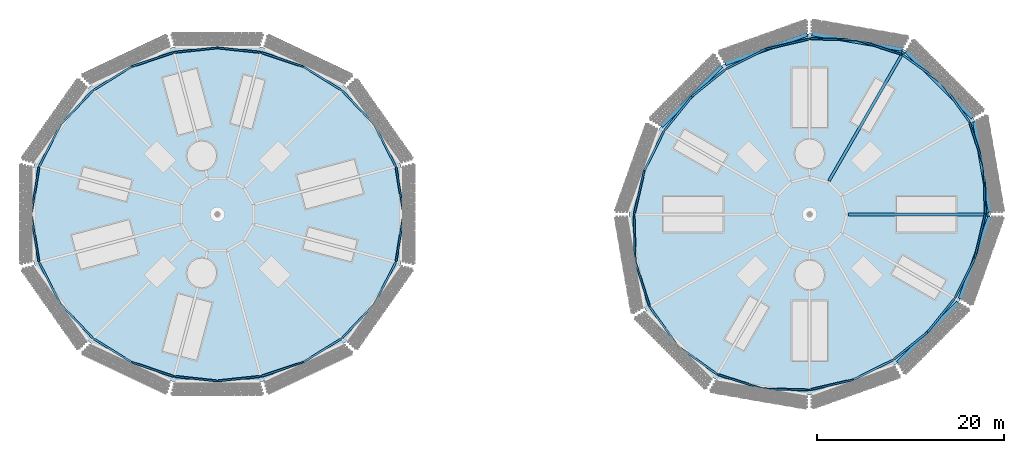
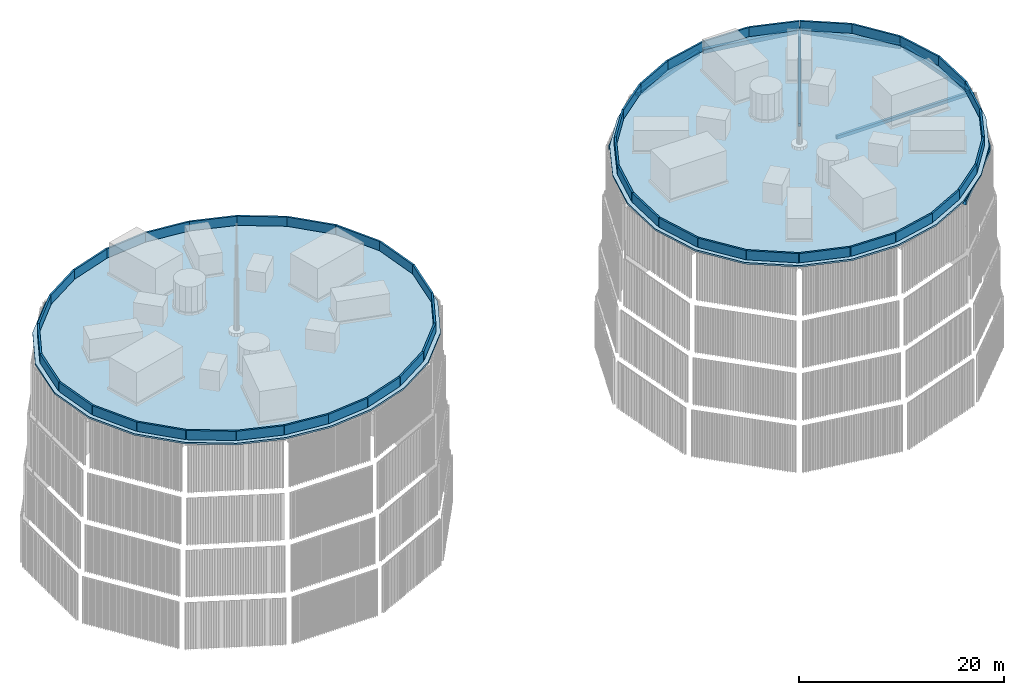
# One storey, part 2 of 24: 48 walls, 9 beams, 2 slabs.
"""IFC4 building model written with IfcOpenShell, lengths in metres."""

from ifc_helpers import new_model, si_unit, direction, frame, frame_2d, origin, origin_2d, place, context, subcontext, project, spatial, polyline, rectangle, hollow_rectangle, outline, extrude, material, layer, layer_set, material_profile, profile_set, type_object, element, save


model = new_model("IFC4")

# Units and contexts
model_context = context("Model", 3, precision=1e-05, world=origin(), true_north=direction((0.0, 1.0)))
body_context = subcontext(model_context, "Body", "Model", "MODEL_VIEW")
ifc_project = project(units=[si_unit("LENGTHUNIT", "METRE"), si_unit("AREAUNIT", "SQUARE_METRE"), si_unit("VOLUMEUNIT", "CUBIC_METRE"), si_unit("PLANEANGLEUNIT", "RADIAN"), si_unit("MASSUNIT", "GRAM", prefix="KILO")], contexts=[model_context])

# Site, building, storey
site_placement = place(None, origin())
site = spatial("IfcSite", under=ifc_project, at=site_placement, CompositionType="ELEMENT")
building_placement = place(site_placement, origin())
building = spatial("IfcBuilding", under=site, at=building_placement, Name="Rimbun Link Towers", CompositionType="ELEMENT")
storey_placement = place(building_placement, frame((0.0, 0.0, 294.89990234375)))
storey = spatial("IfcBuildingStorey", under=building, at=storey_placement, Name="Roof cap", CompositionType="ELEMENT", Elevation=294.89990234375)

# Beams
ifc_material_1 = material(Name="Steel S355J2", Category="steel")
ifc_material_profile_1 = material_profile(ifc_material_1, hollow_rectangle(XDim=0.300048828125, YDim=0.39990234375, WallThickness=0.01611328125, at=origin_2d()), Name="Crown frame hub beam BOX 300x400x16")
ifc_profile_set_1 = profile_set([ifc_material_profile_1], Name="Steel S355J2")
beam_type_1 = type_object("IfcBeamType", Name="Crown frame hub beam BOX 300x400x16", PredefinedType="BEAM", material=ifc_profile_set_1)
beam_1_placement = place(storey_placement, frame((41.807373046875, 17.419921875, 0.300048828125), z_axis=(-0.500000882053, -0.86602489453, 0.0), x_axis=(0.86602489453, -0.500000882053, 0.0)))
element("IfcBeam", 1, at=beam_1_placement, inside=storey, type_object=beam_type_1, Name="CROWN FRAME cap beam T2 00", PredefinedType="BEAM", context=body_context, shape_type="SweptSolid", body=[
    extrude(hollow_rectangle(XDim=0.300048828125, YDim=0.39990234375, WallThickness=0.01611328125, at=origin_2d()), origin(), (0.0, 0.0, 1.0), 15.96484375),
])
beam_2_placement = place(storey_placement, frame((50.886474609375, 0.0, 0.300048828125), z_axis=(-1.0, 0.0, 0.0), x_axis=(0.0, -1.0, 0.0)))
element("IfcBeam", 2, at=beam_2_placement, inside=storey, type_object=beam_type_1, Name="CROWN FRAME cap beam T2 10", PredefinedType="BEAM", context=body_context, shape_type="SweptSolid", body=[
    extrude(hollow_rectangle(XDim=0.300048828125, YDim=0.39990234375, WallThickness=0.01611328125, at=origin_2d()), origin(), (0.0, 0.0, 1.0), 14.986572265625),
])
ifc_material_2 = material(Name="Steel S355J2", Category="steel")
ifc_material_profile_2 = material_profile(ifc_material_2, hollow_rectangle(XDim=0.39990234375, YDim=0.5, WallThickness=0.02001953125, at=origin_2d()), Name="Crown frame ring beam BOX 400x500x20")
ifc_profile_set_2 = profile_set([ifc_material_profile_2], Name="Steel S355J2")
beam_type_2 = type_object("IfcBeamType", Name="Crown frame ring beam BOX 400x500x20", PredefinedType="BEAM", material=ifc_profile_set_2)
beam_3_placement = place(storey_placement, frame((41.68408203125, 17.682861328125, 0.25), z_axis=(-0.985546492599, 0.169405167945, 0.0), x_axis=(-0.169405167945, -0.985546492599, 0.0)))
element("IfcBeam", 3, at=beam_3_placement, inside=storey, type_object=beam_type_2, Name="CROWN FRAME ring beam T2 5-00", PredefinedType="BEAM", context=body_context, shape_type="SweptSolid", body=[
    extrude(hollow_rectangle(XDim=0.39990234375, YDim=0.5, WallThickness=0.02001953125, at=origin_2d()), origin(), (0.0, 0.0, 1.0), 9.825927734375),
])
beam_4_placement = place(storey_placement, frame((31.510986328125, 19.3046875, 0.25), z_axis=(-0.941183805758, -0.337895018873, 0.0), x_axis=(0.337895018873, -0.941183805758, 0.0)))
element("IfcBeam", 4, at=beam_4_placement, inside=storey, type_object=beam_type_2, Name="CROWN FRAME ring beam T2 5-01", PredefinedType="BEAM", context=body_context, shape_type="SweptSolid", body=[
    extrude(hollow_rectangle(XDim=0.39990234375, YDim=0.5, WallThickness=0.02001953125, at=origin_2d()), origin(), (0.0, 0.0, 1.0), 9.344482421875),
])
for number, where, z_axis, x_axis, name in (
    (5, (22.29736328125, 15.881591796875, 0.25), (-0.707106781187, -0.707106781187, 0.0), (0.707106781187, -0.707106781187, 0.0), "CROWN FRAME ring beam T2 5-02"),
    (6, (41.20263671875, -15.881591796875, 0.25), (0.707106781187, 0.707106781187, 0.0), (-0.707106781187, 0.707106781187, 0.0), "CROWN FRAME ring beam T2 5-08"),
):
    element("IfcBeam", number, at=place(storey_placement, frame(where, z_axis=z_axis, x_axis=x_axis)), inside=storey, type_object=beam_type_2, Name=name, PredefinedType="BEAM", context=body_context, shape_type="SweptSolid", body=[
        extrude(hollow_rectangle(XDim=0.39990234375, YDim=0.5, WallThickness=0.02001953125, at=origin_2d()), origin(), (0.0, 0.0, 1.0), 9.091796875),
    ])
beam_5_placement = place(storey_placement, frame((47.897216796875, -9.033935546875, 0.25), z_axis=(0.337895018873, 0.941183805758, 0.0), x_axis=(-0.941183805758, 0.337895018873, 0.0)))
element("IfcBeam", 7, at=beam_5_placement, inside=storey, type_object=beam_type_2, Name="CROWN FRAME ring beam T2 5-09", PredefinedType="BEAM", context=body_context, shape_type="SweptSolid", body=[
    extrude(hollow_rectangle(XDim=0.39990234375, YDim=0.5, WallThickness=0.02001953125, at=origin_2d()), origin(), (0.0, 0.0, 1.0), 9.344482421875),
])
beam_6_placement = place(storey_placement, frame((51.097412109375, 0.250244140625, 0.25), z_axis=(-0.169405167945, 0.985546492599, 0.0), x_axis=(-0.985546492599, -0.169405167945, 0.0)))
element("IfcBeam", 8, at=beam_6_placement, inside=storey, type_object=beam_type_2, Name="CROWN FRAME ring beam T2 5-10", PredefinedType="BEAM", context=body_context, shape_type="SweptSolid", body=[
    extrude(hollow_rectangle(XDim=0.39990234375, YDim=0.5, WallThickness=0.02001953125, at=origin_2d()), origin(), (0.0, 0.0, 1.0), 9.825927734375),
])
beam_7_placement = place(storey_placement, frame((49.210205078125, 10.364013671875, 0.25), z_axis=(-0.707106781187, 0.707106781187, 0.0), x_axis=(-0.707106781187, -0.707106781187, 0.0)))
element("IfcBeam", 9, at=beam_7_placement, inside=storey, type_object=beam_type_2, Name="CROWN FRAME ring beam T2 5-11", PredefinedType="BEAM", context=body_context, shape_type="SweptSolid", body=[
    extrude(hollow_rectangle(XDim=0.39990234375, YDim=0.5, WallThickness=0.02001953125, at=origin_2d()), origin(), (0.0, 0.0, 1.0), 10.03564453125),
])

# Slabs
ifc_material_3 = material(Name="Concrete C40/50", Category="concrete")
ifc_layer_1 = layer(ifc_material_3, 0.199951171875)
ifc_layer_set_1 = layer_set([ifc_layer_1], Name="Crown cap composite slab")
slab_type = type_object("IfcSlabType", Name="Crown cap composite slab", PredefinedType="ROOF", material=ifc_layer_set_1)
slab_1_placement = place(storey_placement, frame((0.0, 0.0, 0.5)))
element("IfcSlab", 10, at=slab_1_placement, inside=storey, type_object=slab_type, Name="CROWN FRAME cap slab T1", PredefinedType="ROOF", context=body_context, shape_type="SweptSolid", body=[
    extrude(outline(polyline([(-11.215576171875, 0.0), (-12.0751953125, 5.271728515625), (-14.484130859375, 9.968505859375), (-18.038818359375, 13.711181640625), (-22.3056640625, 16.35791015625), (-26.949951171875, 17.9140625), (-31.75, 18.42529296875), (-36.550048828125, 17.9140625), (-41.1943359375, 16.35791015625), (-45.461181640625, 13.711181640625), (-49.015869140625, 9.968505859375), (-51.4248046875, 5.271728515625), (-52.284423828125, 0.0), (-51.4248046875, -5.271728515625), (-49.015869140625, -9.968505859375), (-45.461181640625, -13.711181640625), (-41.1943359375, -16.35791015625), (-36.550048828125, -17.9140625), (-31.75, -18.42529296875), (-26.949951171875, -17.9140625), (-22.3056640625, -16.35791015625), (-18.038818359375, -13.711181640625), (-14.484130859375, -9.968505859375), (-12.0751953125, -5.271728515625), (-11.215576171875, 0.0)])), origin(), (0.0, 0.0, 1.0), 0.2001953125),
])
slab_2_placement = place(storey_placement, frame((0.0, 0.0, 0.5)))
element("IfcSlab", 11, at=slab_2_placement, inside=storey, type_object=slab_type, Name="CROWN FRAME cap slab T2", PredefinedType="ROOF", context=body_context, shape_type="SweptSolid", body=[
    extrude(outline(polyline([(46.27001953125, 14.52001953125), (41.934326171875, 17.639892578125), (36.909912109375, 19.257568359375), (31.75, 19.390380859375), (26.861328125, 18.2451171875), (22.47705078125, 16.061279296875), (18.72119140625, 13.02880859375), (15.688720703125, 9.27294921875), (13.5048828125, 4.888671875), (12.359619140625, 0.0), (12.492431640625, -5.159912109375), (14.110107421875, -10.184326171875), (17.22998046875, -14.52001953125), (21.565673828125, -17.639892578125), (26.590087890625, -19.257568359375), (31.75, -19.390380859375), (36.638671875, -18.2451171875), (41.02294921875, -16.061279296875), (44.77880859375, -13.02880859375), (47.811279296875, -9.27294921875), (49.9951171875, -4.888671875), (51.140380859375, 0.0), (51.007568359375, 5.159912109375), (49.389892578125, 10.184326171875), (46.27001953125, 14.52001953125)])), origin(), (0.0, 0.0, 1.0), 0.2001953125),
])

# Walls
ifc_material_4 = material(Name="Concrete C40/50", Category="concrete")
ifc_layer_2 = layer(ifc_material_4, 0.199951171875)
ifc_layer_set_2 = layer_set([ifc_layer_2], Name="CROWN PARAPET wall 200")
wall_type = type_object("IfcWallType", Name="CROWN PARAPET wall 200", PredefinedType="STANDARD", material=ifc_layer_set_2)
wall_1_placement = place(storey_placement, frame((-11.780029296875, -0.01904296875, 0.7001953125), z_axis=(0.0, 0.0, 1.0), x_axis=(-0.160937805902, -0.986964549835, 0.0)))
element("IfcWall", 12, at=wall_1_placement, inside=storey, type_object=wall_type, Name="Crown parapet wall", PredefinedType="STANDARD", context=body_context, shape_type="SweptSolid", body=[
    extrude(rectangle(XDim=5.1259765625, YDim=0.199951171875, at=frame_2d((2.56298828125, 0.0))), origin(), (0.0, 0.0, 1.0), 1.099853515625),
])
wall_2_placement = place(storey_placement, frame((-12.61669921875, -5.11328125, 0.7001953125), z_axis=(0.0, 0.0, 1.0), x_axis=(-0.456368407482, -0.88979091738, 0.0)))
element("IfcWall", 13, at=wall_2_placement, inside=storey, type_object=wall_type, Name="Crown parapet wall", PredefinedType="STANDARD", context=body_context, shape_type="SweptSolid", body=[
    extrude(rectangle(XDim=5.0751953125, YDim=0.199951171875, at=frame_2d((2.53759765625, 0.0))), origin(), (0.0, 0.0, 1.0), 1.099853515625),
])
wall_3_placement = place(storey_placement, frame((-14.95263671875, -9.6572265625, 0.7001953125), z_axis=(0.0, 0.0, 1.0), x_axis=(-0.688625705447, -0.725116982146, 0.0)))
element("IfcWall", 14, at=wall_3_placement, inside=storey, type_object=wall_type, Name="Crown parapet wall", PredefinedType="STANDARD", context=body_context, shape_type="SweptSolid", body=[
    extrude(rectangle(XDim=4.9775390625, YDim=0.199951171875, at=frame_2d((2.48876953125, 0.0))), origin(), (0.0, 0.0, 1.0), 1.099853515625),
])
wall_4_placement = place(storey_placement, frame((-18.40478515625, -13.286376953125, 0.7001953125), z_axis=(0.0, 0.0, 1.0), x_axis=(-0.849798628736, -0.527107475378, 0.0)))
element("IfcWall", 15, at=wall_4_placement, inside=storey, type_object=wall_type, Name="Crown parapet wall", PredefinedType="STANDARD", context=body_context, shape_type="SweptSolid", body=[
    extrude(rectangle(XDim=4.85498046875, YDim=0.199951171875, at=frame_2d((2.427490234375, 0.0))), origin(), (0.0, 0.0, 1.0), 1.099853515625),
])
wall_5_placement = place(storey_placement, frame((-22.556884765625, -15.85791015625, 0.7001953125), z_axis=(0.0, 0.0, 1.0), x_axis=(-0.948208825235, -0.317647640863, 0.0)))
element("IfcWall", 16, at=wall_5_placement, inside=storey, type_object=wall_type, Name="Crown parapet wall", PredefinedType="STANDARD", context=body_context, shape_type="SweptSolid", body=[
    extrude(rectangle(XDim=4.744384765625, YDim=0.199951171875, at=frame_2d((2.3720703125, 0.0))), origin(), (0.0, 0.0, 1.0), 1.099853515625),
])
for number, where, z_axis, x_axis, name in (
    (17, (-27.08251953125, -17.37109375, 0.7001953125), (0.0, 0.0, 1.0), (-0.994377231783, -0.105895802147, 0.0), "Crown parapet wall"),
    (18, (-31.763671875, -17.86669921875, 0.7001953125), (0.0, 0.0, 1.0), (-0.994377231783, 0.105895802147, 0.0), "Crown parapet wall"),
):
    element("IfcWall", number, at=place(storey_placement, frame(where, z_axis=z_axis, x_axis=x_axis)), inside=storey, type_object=wall_type, Name=name, PredefinedType="STANDARD", context=body_context, shape_type="SweptSolid", body=[
        extrude(rectangle(XDim=4.68017578125, YDim=0.199951171875, at=frame_2d((2.340087890625, 0.0))), origin(), (0.0, 0.0, 1.0), 1.099853515625),
    ])
wall_6_placement = place(storey_placement, frame((-36.4443359375, -17.364990234375, 0.7001953125), z_axis=(0.0, 0.0, 1.0), x_axis=(-0.948208825235, 0.317647640863, 0.0)))
element("IfcWall", 19, at=wall_6_placement, inside=storey, type_object=wall_type, Name="Crown parapet wall", PredefinedType="STANDARD", context=body_context, shape_type="SweptSolid", body=[
    extrude(rectangle(XDim=4.744384765625, YDim=0.199951171875, at=frame_2d((2.3720703125, 0.0))), origin(), (0.0, 0.0, 1.0), 1.099853515625),
])
wall_7_placement = place(storey_placement, frame((-40.969482421875, -15.845458984375, 0.7001953125), z_axis=(0.0, 0.0, 1.0), x_axis=(-0.849798628736, 0.527107475378, 0.0)))
element("IfcWall", 20, at=wall_7_placement, inside=storey, type_object=wall_type, Name="Crown parapet wall", PredefinedType="STANDARD", context=body_context, shape_type="SweptSolid", body=[
    extrude(rectangle(XDim=4.85498046875, YDim=0.199951171875, at=frame_2d((2.427490234375, 0.0))), origin(), (0.0, 0.0, 1.0), 1.099853515625),
])
wall_8_placement = place(storey_placement, frame((-45.11962890625, -13.2666015625, 0.7001953125), z_axis=(0.0, 0.0, 1.0), x_axis=(-0.688625705447, 0.725116982146, 0.0)))
element("IfcWall", 21, at=wall_8_placement, inside=storey, type_object=wall_type, Name="Crown parapet wall", PredefinedType="STANDARD", context=body_context, shape_type="SweptSolid", body=[
    extrude(rectangle(XDim=4.9775390625, YDim=0.199951171875, at=frame_2d((2.48876953125, 0.0))), origin(), (0.0, 0.0, 1.0), 1.099853515625),
])
wall_9_placement = place(storey_placement, frame((-48.567138671875, -9.629150390625, 0.7001953125), z_axis=(0.0, 0.0, 1.0), x_axis=(-0.456368407482, 0.88979091738, 0.0)))
element("IfcWall", 22, at=wall_9_placement, inside=storey, type_object=wall_type, Name="Crown parapet wall", PredefinedType="STANDARD", context=body_context, shape_type="SweptSolid", body=[
    extrude(rectangle(XDim=5.0751953125, YDim=0.199951171875, at=frame_2d((2.53759765625, 0.0))), origin(), (0.0, 0.0, 1.0), 1.099853515625),
])
for number, where, z_axis, x_axis, name in (
    (23, (-50.89501953125, -5.078125, 0.7001953125), (0.0, 0.0, 1.0), (-0.160937805902, 0.986964549835, 0.0), "Crown parapet wall"),
    (24, (-51.719970703125, 0.01904296875, 0.7001953125), (0.0, 0.0, 1.0), (0.160937805902, 0.986964549835, 0.0), "Crown parapet wall"),
):
    element("IfcWall", number, at=place(storey_placement, frame(where, z_axis=z_axis, x_axis=x_axis)), inside=storey, type_object=wall_type, Name=name, PredefinedType="STANDARD", context=body_context, shape_type="SweptSolid", body=[
        extrude(rectangle(XDim=5.1259765625, YDim=0.199951171875, at=frame_2d((2.56298828125, 0.0))), origin(), (0.0, 0.0, 1.0), 1.099853515625),
    ])
wall_10_placement = place(storey_placement, frame((-50.88330078125, 5.11328125, 0.7001953125), z_axis=(0.0, 0.0, 1.0), x_axis=(0.456368407482, 0.88979091738, 0.0)))
element("IfcWall", 25, at=wall_10_placement, inside=storey, type_object=wall_type, Name="Crown parapet wall", PredefinedType="STANDARD", context=body_context, shape_type="SweptSolid", body=[
    extrude(rectangle(XDim=5.0751953125, YDim=0.199951171875, at=frame_2d((2.53759765625, 0.0))), origin(), (0.0, 0.0, 1.0), 1.099853515625),
])
wall_11_placement = place(storey_placement, frame((-48.54736328125, 9.6572265625, 0.7001953125), z_axis=(0.0, 0.0, 1.0), x_axis=(0.688625705447, 0.725116982146, 0.0)))
element("IfcWall", 26, at=wall_11_placement, inside=storey, type_object=wall_type, Name="Crown parapet wall", PredefinedType="STANDARD", context=body_context, shape_type="SweptSolid", body=[
    extrude(rectangle(XDim=4.9775390625, YDim=0.199951171875, at=frame_2d((2.48876953125, 0.0))), origin(), (0.0, 0.0, 1.0), 1.099853515625),
])
wall_12_placement = place(storey_placement, frame((-45.09521484375, 13.286376953125, 0.7001953125), z_axis=(0.0, 0.0, 1.0), x_axis=(0.849798628736, 0.527107475378, 0.0)))
element("IfcWall", 27, at=wall_12_placement, inside=storey, type_object=wall_type, Name="Crown parapet wall", PredefinedType="STANDARD", context=body_context, shape_type="SweptSolid", body=[
    extrude(rectangle(XDim=4.85498046875, YDim=0.199951171875, at=frame_2d((2.427490234375, 0.0))), origin(), (0.0, 0.0, 1.0), 1.099853515625),
])
wall_13_placement = place(storey_placement, frame((-40.943115234375, 15.85791015625, 0.7001953125), z_axis=(0.0, 0.0, 1.0), x_axis=(0.948208825235, 0.317647640863, 0.0)))
element("IfcWall", 28, at=wall_13_placement, inside=storey, type_object=wall_type, Name="Crown parapet wall", PredefinedType="STANDARD", context=body_context, shape_type="SweptSolid", body=[
    extrude(rectangle(XDim=4.744384765625, YDim=0.199951171875, at=frame_2d((2.3720703125, 0.0))), origin(), (0.0, 0.0, 1.0), 1.099853515625),
])
for number, where, z_axis, x_axis, name in (
    (29, (-36.41748046875, 17.37109375, 0.7001953125), (0.0, 0.0, 1.0), (0.994377231783, 0.105895802147, 0.0), "Crown parapet wall"),
    (30, (-31.736328125, 17.86669921875, 0.7001953125), (0.0, 0.0, 1.0), (0.994377231783, -0.105895802147, 0.0), "Crown parapet wall"),
):
    element("IfcWall", number, at=place(storey_placement, frame(where, z_axis=z_axis, x_axis=x_axis)), inside=storey, type_object=wall_type, Name=name, PredefinedType="STANDARD", context=body_context, shape_type="SweptSolid", body=[
        extrude(rectangle(XDim=4.68017578125, YDim=0.199951171875, at=frame_2d((2.340087890625, 0.0))), origin(), (0.0, 0.0, 1.0), 1.099853515625),
    ])
wall_14_placement = place(storey_placement, frame((-27.0556640625, 17.364990234375, 0.7001953125), z_axis=(0.0, 0.0, 1.0), x_axis=(0.948208825235, -0.317647640863, 0.0)))
element("IfcWall", 31, at=wall_14_placement, inside=storey, type_object=wall_type, Name="Crown parapet wall", PredefinedType="STANDARD", context=body_context, shape_type="SweptSolid", body=[
    extrude(rectangle(XDim=4.744384765625, YDim=0.199951171875, at=frame_2d((2.3720703125, 0.0))), origin(), (0.0, 0.0, 1.0), 1.099853515625),
])
wall_15_placement = place(storey_placement, frame((-22.530517578125, 15.845458984375, 0.7001953125), z_axis=(0.0, 0.0, 1.0), x_axis=(0.849798628736, -0.527107475378, 0.0)))
element("IfcWall", 32, at=wall_15_placement, inside=storey, type_object=wall_type, Name="Crown parapet wall", PredefinedType="STANDARD", context=body_context, shape_type="SweptSolid", body=[
    extrude(rectangle(XDim=4.85498046875, YDim=0.199951171875, at=frame_2d((2.427490234375, 0.0))), origin(), (0.0, 0.0, 1.0), 1.099853515625),
])
wall_16_placement = place(storey_placement, frame((-18.38037109375, 13.2666015625, 0.7001953125), z_axis=(0.0, 0.0, 1.0), x_axis=(0.688625705447, -0.725116982146, 0.0)))
element("IfcWall", 33, at=wall_16_placement, inside=storey, type_object=wall_type, Name="Crown parapet wall", PredefinedType="STANDARD", context=body_context, shape_type="SweptSolid", body=[
    extrude(rectangle(XDim=4.9775390625, YDim=0.199951171875, at=frame_2d((2.48876953125, 0.0))), origin(), (0.0, 0.0, 1.0), 1.099853515625),
])
wall_17_placement = place(storey_placement, frame((-14.932861328125, 9.629150390625, 0.7001953125), z_axis=(0.0, 0.0, 1.0), x_axis=(0.456368407482, -0.88979091738, 0.0)))
element("IfcWall", 34, at=wall_17_placement, inside=storey, type_object=wall_type, Name="Crown parapet wall", PredefinedType="STANDARD", context=body_context, shape_type="SweptSolid", body=[
    extrude(rectangle(XDim=5.0751953125, YDim=0.199951171875, at=frame_2d((2.53759765625, 0.0))), origin(), (0.0, 0.0, 1.0), 1.099853515625),
])
for number, where, z_axis, x_axis, name in (
    (35, (-12.60498046875, 5.078125, 0.7001953125), (0.0, 0.0, 1.0), (0.160937805902, -0.986964549835, 0.0), "Crown parapet wall"),
    (36, (45.88427734375, 14.107421875, 0.7001953125), (0.0, 0.0, 1.0), (0.584108977616, -0.811675244336, 0.0), "Crown parapet wall"),
):
    element("IfcWall", number, at=place(storey_placement, frame(where, z_axis=z_axis, x_axis=x_axis)), inside=storey, type_object=wall_type, Name=name, PredefinedType="STANDARD", context=body_context, shape_type="SweptSolid", body=[
        extrude(rectangle(XDim=5.1259765625, YDim=0.199951171875, at=frame_2d((2.56298828125, 0.0))), origin(), (0.0, 0.0, 1.0), 1.099853515625),
    ])
wall_18_placement = place(storey_placement, frame((48.89501953125, 9.913818359375, 0.7001953125), z_axis=(0.0, 0.0, 1.0), x_axis=(0.306456019966, -0.951884818571, 0.0)))
element("IfcWall", 37, at=wall_18_placement, inside=storey, type_object=wall_type, Name="Crown parapet wall", PredefinedType="STANDARD", context=body_context, shape_type="SweptSolid", body=[
    extrude(rectangle(XDim=5.075439453125, YDim=0.199951171875, at=frame_2d((2.53759765625, 0.0))), origin(), (0.0, 0.0, 1.0), 1.099853515625),
])
wall_19_placement = place(storey_placement, frame((50.456298828125, 5.048583984375, 0.7001953125), z_axis=(0.0, 0.0, 1.0), x_axis=(0.025750743691, -0.999668394619, 0.0)))
element("IfcWall", 38, at=wall_19_placement, inside=storey, type_object=wall_type, Name="Crown parapet wall", PredefinedType="STANDARD", context=body_context, shape_type="SweptSolid", body=[
    extrude(rectangle(XDim=4.9775390625, YDim=0.199951171875, at=frame_2d((2.48876953125, 0.0))), origin(), (0.0, 0.0, 1.0), 1.099853515625),
])
wall_20_placement = place(storey_placement, frame((50.581298828125, 0.04150390625, 0.7001953125), z_axis=(0.0, 0.0, 1.0), x_axis=(-0.228156315449, -0.973624514749, 0.0)))
element("IfcWall", 39, at=wall_20_placement, inside=storey, type_object=wall_type, Name="Crown parapet wall", PredefinedType="STANDARD", context=body_context, shape_type="SweptSolid", body=[
    extrude(rectangle(XDim=4.854736328125, YDim=0.199951171875, at=frame_2d((2.42724609375, 0.0))), origin(), (0.0, 0.0, 1.0), 1.099853515625),
])
wall_21_placement = place(storey_placement, frame((49.4638671875, -4.712646484375, 0.7001953125), z_axis=(0.0, 0.0, 1.0), x_axis=(-0.445833983723, -0.895115667921, 0.0)))
element("IfcWall", 40, at=wall_21_placement, inside=storey, type_object=wall_type, Name="Crown parapet wall", PredefinedType="STANDARD", context=body_context, shape_type="SweptSolid", body=[
    extrude(rectangle(XDim=4.744384765625, YDim=0.199951171875, at=frame_2d((2.3720703125, 0.0))), origin(), (0.0, 0.0, 1.0), 1.099853515625),
])
for number, where, z_axis, x_axis, name in (
    (41, (47.33349609375, -8.982666015625, 0.7001953125), (0.0, 0.0, 1.0), (-0.62821932071, -0.778036300622, 0.0), "Crown parapet wall"),
    (42, (44.3740234375, -12.643310546875, 0.7001953125), (0.0, 0.0, 1.0), (-0.778036300622, -0.62821932071, 0.0), "Crown parapet wall"),
):
    element("IfcWall", number, at=place(storey_placement, frame(where, z_axis=z_axis, x_axis=x_axis)), inside=storey, type_object=wall_type, Name=name, PredefinedType="STANDARD", context=body_context, shape_type="SweptSolid", body=[
        extrude(rectangle(XDim=4.68017578125, YDim=0.199951171875, at=frame_2d((2.340087890625, 0.0))), origin(), (0.0, 0.0, 1.0), 1.099853515625),
    ])
wall_22_placement = place(storey_placement, frame((40.70947265625, -15.5986328125, 0.7001953125), z_axis=(0.0, 0.0, 1.0), x_axis=(-0.895115667921, -0.445833983723, 0.0)))
element("IfcWall", 43, at=wall_22_placement, inside=storey, type_object=wall_type, Name="Crown parapet wall", PredefinedType="STANDARD", context=body_context, shape_type="SweptSolid", body=[
    extrude(rectangle(XDim=4.744384765625, YDim=0.199951171875, at=frame_2d((2.3720703125, 0.0))), origin(), (0.0, 0.0, 1.0), 1.099853515625),
])
wall_23_placement = place(storey_placement, frame((36.435302734375, -17.7236328125, 0.7001953125), z_axis=(0.0, 0.0, 1.0), x_axis=(-0.973624514749, -0.228156315449, 0.0)))
element("IfcWall", 44, at=wall_23_placement, inside=storey, type_object=wall_type, Name="Crown parapet wall", PredefinedType="STANDARD", context=body_context, shape_type="SweptSolid", body=[
    extrude(rectangle(XDim=4.854736328125, YDim=0.199951171875, at=frame_2d((2.42724609375, 0.0))), origin(), (0.0, 0.0, 1.0), 1.099853515625),
])
wall_24_placement = place(storey_placement, frame((31.67724609375, -18.83447265625, 0.7001953125), z_axis=(0.0, 0.0, 1.0), x_axis=(-0.999668394619, 0.025750743691, 0.0)))
element("IfcWall", 45, at=wall_24_placement, inside=storey, type_object=wall_type, Name="Crown parapet wall", PredefinedType="STANDARD", context=body_context, shape_type="SweptSolid", body=[
    extrude(rectangle(XDim=4.9775390625, YDim=0.199951171875, at=frame_2d((2.48876953125, 0.0))), origin(), (0.0, 0.0, 1.0), 1.099853515625),
])
wall_25_placement = place(storey_placement, frame((26.66748046875, -18.700439453125, 0.7001953125), z_axis=(0.0, 0.0, 1.0), x_axis=(-0.951884818571, 0.306456019966, 0.0)))
element("IfcWall", 46, at=wall_25_placement, inside=storey, type_object=wall_type, Name="Crown parapet wall", PredefinedType="STANDARD", context=body_context, shape_type="SweptSolid", body=[
    extrude(rectangle(XDim=5.075439453125, YDim=0.199951171875, at=frame_2d((2.53759765625, 0.0))), origin(), (0.0, 0.0, 1.0), 1.099853515625),
])
for number, where, z_axis, x_axis, name in (
    (47, (21.80322265625, -17.12841796875, 0.7001953125), (0.0, 0.0, 1.0), (-0.811675244336, 0.584108977616, 0.0), "Crown parapet wall"),
    (48, (17.61572265625, -14.107421875, 0.7001953125), (0.0, 0.0, 1.0), (-0.584108977616, 0.811675244336, 0.0), "Crown parapet wall"),
):
    element("IfcWall", number, at=place(storey_placement, frame(where, z_axis=z_axis, x_axis=x_axis)), inside=storey, type_object=wall_type, Name=name, PredefinedType="STANDARD", context=body_context, shape_type="SweptSolid", body=[
        extrude(rectangle(XDim=5.1259765625, YDim=0.199951171875, at=frame_2d((2.56298828125, 0.0))), origin(), (0.0, 0.0, 1.0), 1.099853515625),
    ])
wall_26_placement = place(storey_placement, frame((14.60498046875, -9.913818359375, 0.7001953125), z_axis=(0.0, 0.0, 1.0), x_axis=(-0.306456019966, 0.951884818571, 0.0)))
element("IfcWall", 49, at=wall_26_placement, inside=storey, type_object=wall_type, Name="Crown parapet wall", PredefinedType="STANDARD", context=body_context, shape_type="SweptSolid", body=[
    extrude(rectangle(XDim=5.075439453125, YDim=0.199951171875, at=frame_2d((2.53759765625, 0.0))), origin(), (0.0, 0.0, 1.0), 1.099853515625),
])
wall_27_placement = place(storey_placement, frame((13.043701171875, -5.048583984375, 0.7001953125), z_axis=(0.0, 0.0, 1.0), x_axis=(-0.025750743691, 0.999668394619, 0.0)))
element("IfcWall", 50, at=wall_27_placement, inside=storey, type_object=wall_type, Name="Crown parapet wall", PredefinedType="STANDARD", context=body_context, shape_type="SweptSolid", body=[
    extrude(rectangle(XDim=4.9775390625, YDim=0.199951171875, at=frame_2d((2.48876953125, 0.0))), origin(), (0.0, 0.0, 1.0), 1.099853515625),
])
wall_28_placement = place(storey_placement, frame((12.918701171875, -0.04150390625, 0.7001953125), z_axis=(0.0, 0.0, 1.0), x_axis=(0.228156315449, 0.973624514749, 0.0)))
element("IfcWall", 51, at=wall_28_placement, inside=storey, type_object=wall_type, Name="Crown parapet wall", PredefinedType="STANDARD", context=body_context, shape_type="SweptSolid", body=[
    extrude(rectangle(XDim=4.854736328125, YDim=0.199951171875, at=frame_2d((2.42724609375, 0.0))), origin(), (0.0, 0.0, 1.0), 1.099853515625),
])
wall_29_placement = place(storey_placement, frame((14.0361328125, 4.712646484375, 0.7001953125), z_axis=(0.0, 0.0, 1.0), x_axis=(0.445833983723, 0.895115667921, 0.0)))
element("IfcWall", 52, at=wall_29_placement, inside=storey, type_object=wall_type, Name="Crown parapet wall", PredefinedType="STANDARD", context=body_context, shape_type="SweptSolid", body=[
    extrude(rectangle(XDim=4.744384765625, YDim=0.199951171875, at=frame_2d((2.3720703125, 0.0))), origin(), (0.0, 0.0, 1.0), 1.099853515625),
])
for number, where, z_axis, x_axis, name in (
    (53, (16.16650390625, 8.982666015625, 0.7001953125), (0.0, 0.0, 1.0), (0.62821932071, 0.778036300622, 0.0), "Crown parapet wall"),
    (54, (19.1259765625, 12.643310546875, 0.7001953125), (0.0, 0.0, 1.0), (0.778036300622, 0.62821932071, 0.0), "Crown parapet wall"),
):
    element("IfcWall", number, at=place(storey_placement, frame(where, z_axis=z_axis, x_axis=x_axis)), inside=storey, type_object=wall_type, Name=name, PredefinedType="STANDARD", context=body_context, shape_type="SweptSolid", body=[
        extrude(rectangle(XDim=4.68017578125, YDim=0.199951171875, at=frame_2d((2.340087890625, 0.0))), origin(), (0.0, 0.0, 1.0), 1.099853515625),
    ])
wall_30_placement = place(storey_placement, frame((22.79052734375, 15.5986328125, 0.7001953125), z_axis=(0.0, 0.0, 1.0), x_axis=(0.895115667921, 0.445833983723, 0.0)))
element("IfcWall", 55, at=wall_30_placement, inside=storey, type_object=wall_type, Name="Crown parapet wall", PredefinedType="STANDARD", context=body_context, shape_type="SweptSolid", body=[
    extrude(rectangle(XDim=4.744384765625, YDim=0.199951171875, at=frame_2d((2.3720703125, 0.0))), origin(), (0.0, 0.0, 1.0), 1.099853515625),
])
wall_31_placement = place(storey_placement, frame((27.064697265625, 17.7236328125, 0.7001953125), z_axis=(0.0, 0.0, 1.0), x_axis=(0.973624514749, 0.228156315449, 0.0)))
element("IfcWall", 56, at=wall_31_placement, inside=storey, type_object=wall_type, Name="Crown parapet wall", PredefinedType="STANDARD", context=body_context, shape_type="SweptSolid", body=[
    extrude(rectangle(XDim=4.854736328125, YDim=0.199951171875, at=frame_2d((2.42724609375, 0.0))), origin(), (0.0, 0.0, 1.0), 1.099853515625),
])
wall_32_placement = place(storey_placement, frame((31.82275390625, 18.83447265625, 0.7001953125), z_axis=(0.0, 0.0, 1.0), x_axis=(0.999668394619, -0.025750743691, 0.0)))
element("IfcWall", 57, at=wall_32_placement, inside=storey, type_object=wall_type, Name="Crown parapet wall", PredefinedType="STANDARD", context=body_context, shape_type="SweptSolid", body=[
    extrude(rectangle(XDim=4.9775390625, YDim=0.199951171875, at=frame_2d((2.48876953125, 0.0))), origin(), (0.0, 0.0, 1.0), 1.099853515625),
])
wall_33_placement = place(storey_placement, frame((36.83251953125, 18.700439453125, 0.7001953125), z_axis=(0.0, 0.0, 1.0), x_axis=(0.951884818571, -0.306456019966, 0.0)))
element("IfcWall", 58, at=wall_33_placement, inside=storey, type_object=wall_type, Name="Crown parapet wall", PredefinedType="STANDARD", context=body_context, shape_type="SweptSolid", body=[
    extrude(rectangle(XDim=5.075439453125, YDim=0.199951171875, at=frame_2d((2.53759765625, 0.0))), origin(), (0.0, 0.0, 1.0), 1.099853515625),
])
wall_34_placement = place(storey_placement, frame((41.69677734375, 17.12841796875, 0.7001953125), z_axis=(0.0, 0.0, 1.0), x_axis=(0.811675244336, -0.584108977616, 0.0)))
element("IfcWall", 59, at=wall_34_placement, inside=storey, type_object=wall_type, Name="Crown parapet wall", PredefinedType="STANDARD", context=body_context, shape_type="SweptSolid", body=[
    extrude(rectangle(XDim=5.1259765625, YDim=0.199951171875, at=frame_2d((2.56298828125, 0.0))), origin(), (0.0, 0.0, 1.0), 1.099853515625),
])

save(model, "model.ifc")
